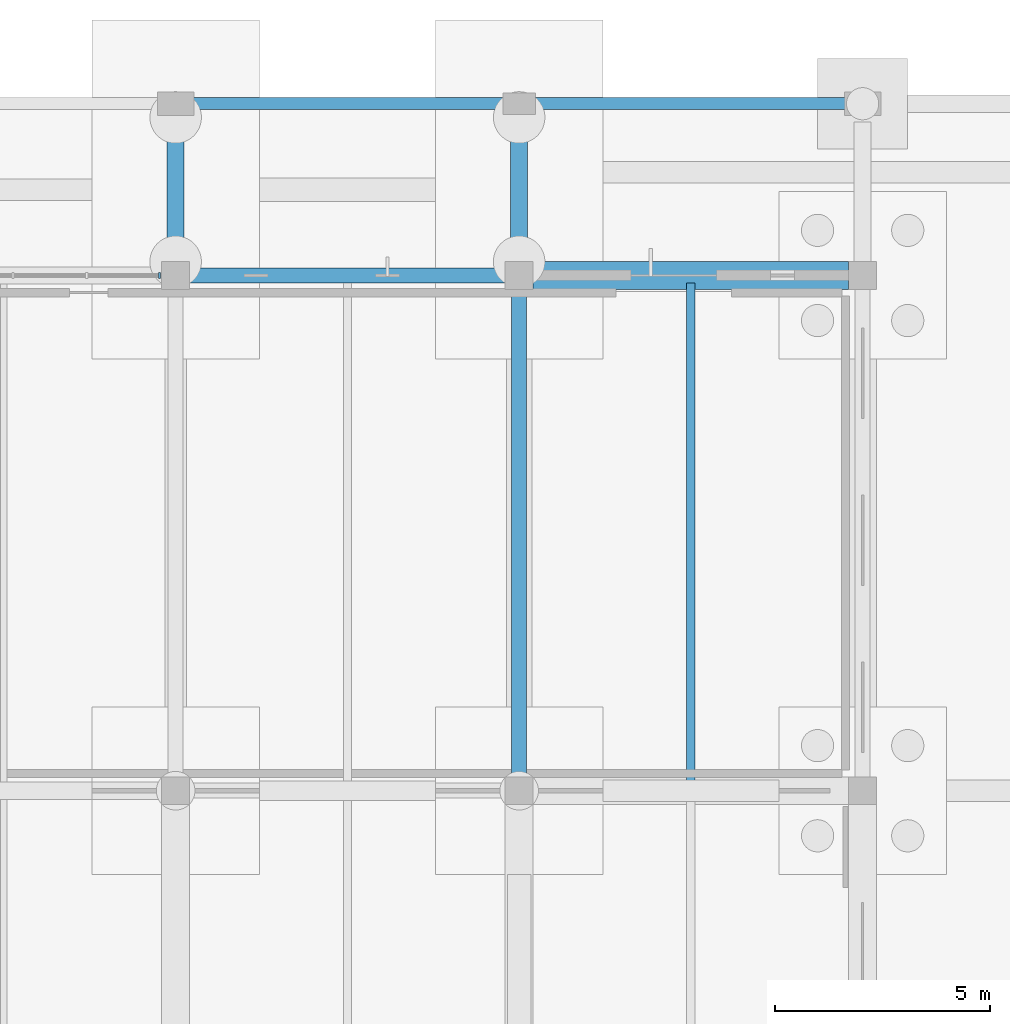
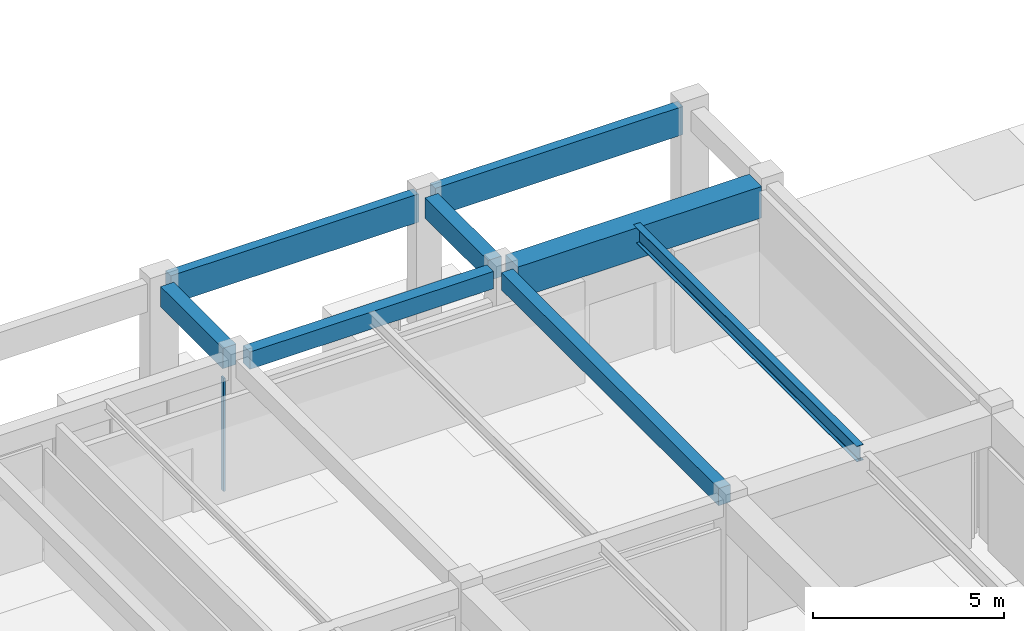
# One storey, part 34 of 84: 8 beams, 1 member, 1 element without a shape of its own.
"""IFC4 building model written with IfcOpenShell, lengths in metres."""

from ifc_helpers import new_model, si_unit, direction, frame, origin, origin_2d, place, context, subcontext, project, spatial, rectangle, i_section, extrude, material, material_profile, profile_set, type_object, element, aggregate, save


model = new_model("IFC4")

# Units and contexts
model_context = context("Model", 3, precision=1e-05, world=origin(), true_north=direction((0.0, 1.0)))
body_context = subcontext(model_context, "Body", "Model", "MODEL_VIEW")
ifc_project = project(units=[si_unit("LENGTHUNIT", "METRE"), si_unit("AREAUNIT", "SQUARE_METRE"), si_unit("VOLUMEUNIT", "CUBIC_METRE"), si_unit("PLANEANGLEUNIT", "RADIAN"), si_unit("MASSUNIT", "GRAM", prefix="KILO")], contexts=[model_context])

# Site, building, storey
site_placement = place(None, origin())
site = spatial("IfcSite", under=ifc_project, at=site_placement, CompositionType="ELEMENT")
building_placement = place(site_placement, origin())
building = spatial("IfcBuilding", under=site, at=building_placement, Name="Larkveld Mobility Hub", CompositionType="ELEMENT")
storey_placement = place(building_placement, origin())
storey = spatial("IfcBuildingStorey", under=building, at=storey_placement, Name="L00", CompositionType="ELEMENT", Elevation=0.0)

# Beams
ifc_material_1 = material(Name="Concrete C40/50", Category="concrete")
ifc_material_profile_1 = material_profile(ifc_material_1, rectangle(XDim=0.35009765625, YDim=0.550048828125, at=origin_2d()), Name="RC BM 350x550")
ifc_profile_set_1 = profile_set([ifc_material_profile_1], Name="Concrete C40/50")
beam_type_1 = type_object("IfcBeamType", Name="BM-RC3555", PredefinedType="BEAM", material=ifc_profile_set_1)
beam_1_placement = place(storey_placement, frame((80.324951171875, 122.0, 3.985107421875), z_axis=(1.0, 0.0, 0.0), x_axis=(0.0, 1.0, 0.0)))
element("IfcBeam", 1, at=beam_1_placement, inside=storey, type_object=beam_type_1, Name="Primary E-W Girder L00-0094", PredefinedType="BEAM", context=body_context, shape_type="SweptSolid", body=[
    extrude(rectangle(XDim=0.35009765625, YDim=0.550048828125, at=origin_2d()), origin(), (0.0, 0.0, 1.0), 7.35009765625),
])
beam_2_placement = place(storey_placement, frame((88.0, 110.324951171875, 3.985107421875), z_axis=(0.0, 1.0, 0.0), x_axis=(-1.0, 0.0, 0.0)))
element("IfcBeam", 2, at=beam_2_placement, inside=storey, type_object=beam_type_1, Name="Primary N-S Girder L00-0150", PredefinedType="BEAM", context=body_context, shape_type="SweptSolid", body=[
    extrude(rectangle(XDim=0.35009765625, YDim=0.550048828125, at=origin_2d()), origin(), (0.0, 0.0, 1.0), 11.35009765625),
])
ifc_material_profile_2 = material_profile(ifc_material_1, rectangle(XDim=0.39990234375, YDim=0.64990234375, at=origin_2d()), Name="RC BM 400x650")
ifc_profile_set_2 = profile_set([ifc_material_profile_2], Name="Concrete C40/50")
beam_type_2 = type_object("IfcBeamType", Name="BM-RC4065", PredefinedType="BEAM", material=ifc_profile_set_2)
beam_3_placement = place(storey_placement, frame((80.0, 122.324951171875, 3.93505859375), z_axis=(0.0, 1.0, 0.0), x_axis=(-1.0, 0.0, 0.0)))
element("IfcBeam", 3, at=beam_3_placement, inside=storey, type_object=beam_type_2, Name="Primary N-S Girder L00-0146", PredefinedType="BEAM", context=body_context, shape_type="SweptSolid", body=[
    extrude(rectangle(XDim=0.39990234375, YDim=0.64990234375, at=origin_2d()), origin(), (0.0, 0.0, 1.0), 3.25),
])
beam_4_placement = place(storey_placement, frame((88.0, 122.324951171875, 3.93505859375), z_axis=(0.0, 1.0, 0.0), x_axis=(-1.0, 0.0, 0.0)))
element("IfcBeam", 4, at=beam_4_placement, inside=storey, type_object=beam_type_2, Name="Primary N-S Girder L00-0151", PredefinedType="BEAM", context=body_context, shape_type="SweptSolid", body=[
    extrude(rectangle(XDim=0.39990234375, YDim=0.64990234375, at=origin_2d()), origin(), (0.0, 0.0, 1.0), 3.300048828125),
])
ifc_material_profile_3 = material_profile(ifc_material_1, rectangle(XDim=0.64990234375, YDim=1.0, at=origin_2d()), Name="RC BM 650x1000")
ifc_profile_set_3 = profile_set([ifc_material_profile_3], Name="Concrete C40/50")
beam_type_3 = type_object("IfcBeamType", Name="BM-RC65100", PredefinedType="BEAM", material=ifc_profile_set_3)
beam_5_placement = place(storey_placement, frame((88.324951171875, 122.0, 3.760009765625), z_axis=(1.0, 0.0, 0.0), x_axis=(0.0, 1.0, 0.0)))
element("IfcBeam", 5, at=beam_5_placement, inside=storey, type_object=beam_type_3, Name="Primary E-W Girder L00-0095", PredefinedType="BEAM", context=body_context, shape_type="SweptSolid", body=[
    extrude(rectangle(XDim=0.64990234375, YDim=1.0, at=origin_2d()), origin(), (0.0, 0.0, 1.0), 7.35009765625),
])
ifc_material_2 = material(Name="Precast concrete C50/60", Category="concrete")
ifc_material_profile_4 = material_profile(ifc_material_2, rectangle(XDim=0.280029296875, YDim=0.89990234375, at=origin_2d()), Name="PC SP 280x900")
ifc_profile_set_4 = profile_set([ifc_material_profile_4], Name="Precast concrete C50/60")
beam_type_4 = type_object("IfcBeamType", Name="BM-SP2890", PredefinedType="SPANDREL", material=ifc_profile_set_4)
for number, where, z_axis, x_axis, name in (
    (6, (80.27490234375, 126.0, 3.81005859375), (1.0, 0.0, 0.0), (0.0, 1.0, 0.0), "Primary E-W Girder L00-0106"),
    (7, (88.25, 126.0, 3.81005859375), (1.0, 0.0, 0.0), (0.0, 1.0, 0.0), "Primary E-W Girder L00-0107"),
):
    element("IfcBeam", number, at=place(storey_placement, frame(where, z_axis=z_axis, x_axis=x_axis)), inside=storey, type_object=beam_type_4, Name=name, PredefinedType="SPANDREL", context=body_context, shape_type="SweptSolid", body=[
        extrude(rectangle(XDim=0.280029296875, YDim=0.89990234375, at=origin_2d()), origin(), (0.0, 0.0, 1.0), 7.47509765625),
    ])
ifc_material_3 = material(Name="Steel S355JR", Category="steel")
ifc_material_profile_5 = material_profile(ifc_material_3, i_section(OverallWidth=0.199951171875, OverallDepth=0.5, WebThickness=0.01025390625, FlangeThickness=0.01611328125, FilletRadius=0.02099609375, at=origin_2d()), Name="IPE 500")
ifc_profile_set_5 = profile_set([ifc_material_profile_5], Name="Steel S355JR")
beam_type_5 = type_object("IfcBeamType", Name="BM-STIPE500", PredefinedType="BEAM", material=ifc_profile_set_5)
beam_6_placement = place(storey_placement, frame((92.0, 110.169921875, 4.02001953125), z_axis=(0.0, 1.0, 0.0), x_axis=(-1.0, 0.0, 0.0)))
element("IfcBeam", 8, at=beam_6_placement, inside=storey, type_object=beam_type_5, Name="Bicycle Hall Secondary Beam L00-1181", PredefinedType="BEAM", context=body_context, shape_type="SweptSolid", body=[
    extrude(i_section(OverallWidth=0.199951171875, OverallDepth=0.5, WebThickness=0.01025390625, FlangeThickness=0.01611328125, FilletRadius=0.02099609375, at=origin_2d()), origin(), (0.0, 0.0, 1.0), 11.66015625),
])

# Curtain wall, member
ifc_material_4 = material(Name="Anodised aluminium 6063-T6", Category="aluminium")
curtain_wall_type = type_object("IfcCurtainWallType", Name="CW-SYS-12", PredefinedType="NOTDEFINED", material=ifc_material_4)
curtain_wall_placement = place(storey_placement, origin())
curtain_wall = element("IfcCurtainWall", 9, at=curtain_wall_placement, inside=storey, type_object=curtain_wall_type, Name="Bicycle Hall North Curtain Wall L00 CW-072", PredefinedType="NOTDEFINED")
ifc_material_profile_6 = material_profile(ifc_material_4, rectangle(XDim=0.050048828125, YDim=0.1298828125, at=origin_2d()), Name="ALU MULL 50x130")
ifc_profile_set_6 = profile_set([ifc_material_profile_6], Name="Anodised aluminium 6063-T6")
member_type = type_object("IfcMemberType", Name="CW-MUL-04", PredefinedType="MULLION", material=ifc_profile_set_6)
member_placement = place(storey_placement, frame((79.625, 122.0, -0.001953125), z_axis=(0.0, 0.0, 1.0), x_axis=(-1.0, 0.0, 0.0)))
member = element("IfcMember", 10, at=member_placement, type_object=member_type, Name="CW12 mullion 1", PredefinedType="MULLION", context=body_context, shape_type="SweptSolid", body=[
    extrude(rectangle(XDim=0.050048828125, YDim=0.1298828125, at=origin_2d()), origin(), (0.0, 0.0, 1.0), 3.612060546875),
])
aggregate(curtain_wall, [member])

save(model, "model.ifc")
